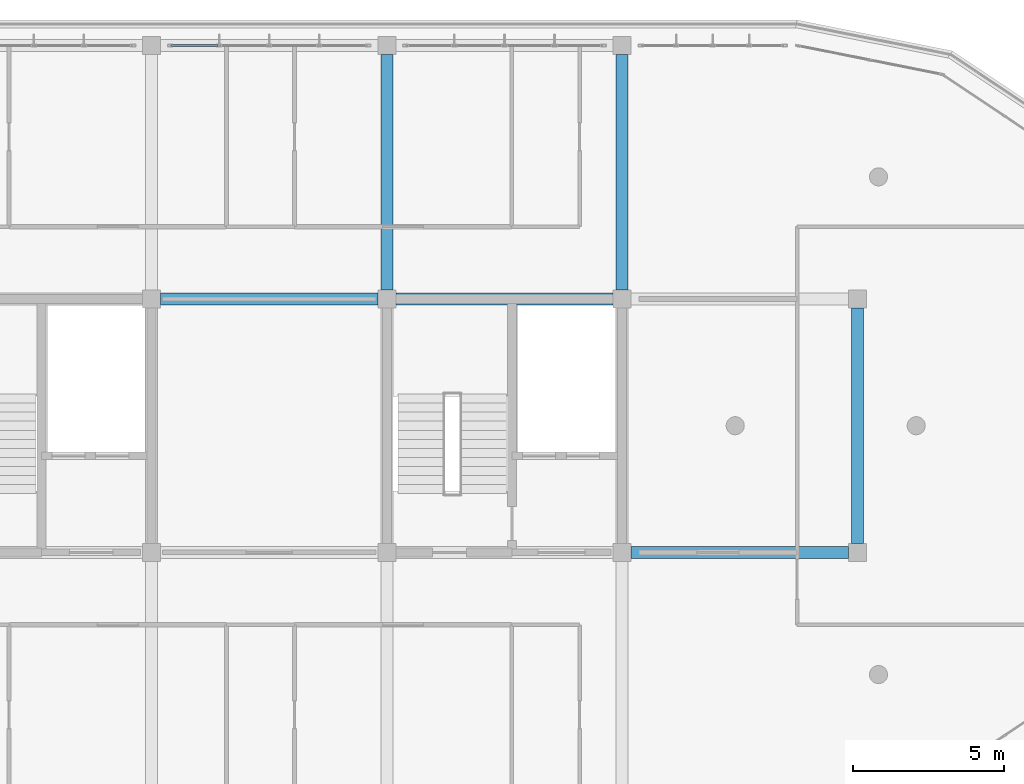
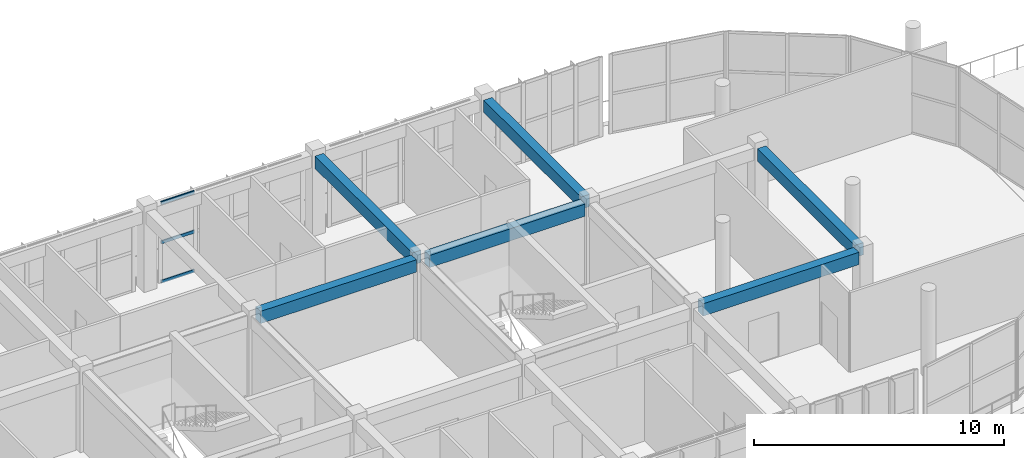
# One storey, part 25 of 50: 6 beams, 3 members, 1 element without a shape of its own.
"""IFC4 building model written with IfcOpenShell, lengths in metres."""

from ifc_helpers import new_model, si_unit, direction, frame, origin, origin_2d, place, context, subcontext, project, spatial, rectangle, hollow_rectangle, extrude, material, layer, layer_set, material_profile, profile_set, type_object, element, aggregate, save


model = new_model("IFC4")

# Units and contexts
model_context = context("Model", 3, precision=1e-05, world=origin(), true_north=direction((0.0, 1.0)))
body_context = subcontext(model_context, "Body", "Model", "MODEL_VIEW")
ifc_project = project(units=[si_unit("LENGTHUNIT", "METRE"), si_unit("AREAUNIT", "SQUARE_METRE"), si_unit("VOLUMEUNIT", "CUBIC_METRE"), si_unit("PLANEANGLEUNIT", "RADIAN"), si_unit("MASSUNIT", "GRAM", prefix="KILO")], contexts=[model_context])

# Site, building, storey
site_placement = place(None, origin())
site = spatial("IfcSite", under=ifc_project, at=site_placement, CompositionType="ELEMENT")
building_placement = place(site_placement, origin())
building = spatial("IfcBuilding", under=site, at=building_placement, Name="Zizhar Promenade General Hospital", CompositionType="ELEMENT")
storey_placement = place(building_placement, frame((0.0, 0.0, 30.60009765625)))
storey = spatial("IfcBuildingStorey", under=building, at=storey_placement, Name="L07", CompositionType="ELEMENT", Elevation=30.60009765625)

# Beams
ifc_material_1 = material(Name="Concrete C35/45", Category="concrete")
ifc_material_profile_1 = material_profile(ifc_material_1, rectangle(XDim=0.39990234375, YDim=0.60009765625, at=origin_2d()))
ifc_profile_set_1 = profile_set([ifc_material_profile_1], Name="Concrete C35/45")
beam_type = type_object("IfcBeamType", Name="BM-RC-400x600", PredefinedType="JOIST", material=ifc_profile_set_1)
beam_1_placement = place(storey_placement, frame((86.10009765625, 16.800048828125, 3.60986328125), z_axis=(1.0, 0.0, 0.0), x_axis=(0.0, 1.0, 0.0)))
element("IfcBeam", 1, at=beam_1_placement, inside=storey, type_object=beam_type, Name="Grid Beam X L07 (11-2)", PredefinedType="JOIST", context=body_context, shape_type="SweptSolid", body=[
    extrude(rectangle(XDim=0.39990234375, YDim=0.60009765625, at=origin_2d()), origin(), (0.0, 0.0, 1.0), 7.199951171875),
])
beam_2_placement = place(storey_placement, frame((93.89990234375, 16.800048828125, 3.60986328125), z_axis=(1.0, 0.0, 0.0), x_axis=(0.0, 1.0, 0.0)))
element("IfcBeam", 2, at=beam_2_placement, inside=storey, type_object=beam_type, Name="Grid Beam X L07 (12-2)", PredefinedType="JOIST", context=body_context, shape_type="SweptSolid", body=[
    extrude(rectangle(XDim=0.39990234375, YDim=0.60009765625, at=origin_2d()), origin(), (0.0, 0.0, 1.0), 7.2001953125),
])
beam_3_placement = place(storey_placement, frame((93.60009765625, 17.10009765625, 3.60986328125), z_axis=(0.0, 1.0, 0.0), x_axis=(-1.0, 0.0, 0.0)))
element("IfcBeam", 3, at=beam_3_placement, inside=storey, type_object=beam_type, Name="Grid Beam Y L07 (12-2)", PredefinedType="JOIST", context=body_context, shape_type="SweptSolid", body=[
    extrude(rectangle(XDim=0.39990234375, YDim=0.60009765625, at=origin_2d()), origin(), (0.0, 0.0, 1.0), 7.7998046875),
])
beam_4_placement = place(storey_placement, frame((101.699951171875, 8.39990234375, 3.60986328125), z_axis=(1.0, 0.0, 0.0), x_axis=(0.0, 1.0, 0.0)))
element("IfcBeam", 4, at=beam_4_placement, inside=storey, type_object=beam_type, Name="Grid Beam X L07 (13-1)", PredefinedType="JOIST", context=body_context, shape_type="SweptSolid", body=[
    extrude(rectangle(XDim=0.39990234375, YDim=0.60009765625, at=origin_2d()), origin(), (0.0, 0.0, 1.0), 7.199951171875),
])
beam_5_placement = place(storey_placement, frame((101.39990234375, 17.10009765625, 3.60986328125), z_axis=(0.0, 1.0, 0.0), x_axis=(-1.0, 0.0, 0.0)))
element("IfcBeam", 5, at=beam_5_placement, inside=storey, type_object=beam_type, Name="Grid Beam Y L07 (13-2)", PredefinedType="JOIST", context=body_context, shape_type="SweptSolid", body=[
    extrude(rectangle(XDim=0.39990234375, YDim=0.60009765625, at=origin_2d()), origin(), (0.0, 0.0, 1.0), 7.7998046875),
])
beam_6_placement = place(storey_placement, frame((109.199951171875, 8.699951171875, 3.60986328125), z_axis=(0.0, 1.0, 0.0), x_axis=(-1.0, 0.0, 0.0)))
element("IfcBeam", 6, at=beam_6_placement, inside=storey, type_object=beam_type, Name="Grid Beam Y L07 (14-1)", PredefinedType="JOIST", context=body_context, shape_type="SweptSolid", body=[
    extrude(rectangle(XDim=0.39990234375, YDim=0.60009765625, at=origin_2d()), origin(), (0.0, 0.0, 1.0), 7.800048828125),
])

# Curtain wall, members
ifc_material_2 = material(Name="Anodised aluminium 6063-T6 and low-E glass", Category="aluminium")
ifc_layer = layer(ifc_material_2, 0.159912109375)
ifc_layer_set = layer_set([ifc_layer], Name="Anodised aluminium 6063-T6 and low-E glass")
curtain_wall_type = type_object("IfcCurtainWallType", Name="CW-WARD-RIB", PredefinedType="NOTDEFINED", material=ifc_layer_set)
curtain_wall_placement = place(storey_placement, origin())
curtain_wall = element("IfcCurtainWall", 7, at=curtain_wall_placement, inside=storey, type_object=curtain_wall_type, Name="Ward Ribbon Curtain Wall L07-8-6", PredefinedType="NOTDEFINED")
ifc_material_3 = material(Name="Anodised aluminium 6063-T6", Category="aluminium")
ifc_material_profile_2 = material_profile(ifc_material_3, hollow_rectangle(XDim=0.06005859375, YDim=0.14990234375, WallThickness=0.00390625, at=origin_2d()))
ifc_profile_set_2 = profile_set([ifc_material_profile_2], Name="Anodised aluminium 6063-T6")
member_type = type_object("IfcMemberType", Name="CWT-ALU-150x60", PredefinedType="USERDEFINED", material=ifc_profile_set_2)
member_1_placement = place(storey_placement, frame((86.4599609375, 25.199951171875, 0.02978515625), z_axis=(1.0, 0.0, 0.0), x_axis=(0.0, 1.0, 0.0)))
member_1 = element("IfcMember", 8, at=member_1_placement, type_object=member_type, Name="CW-13 transom 1.1", ObjectType="TRANSOM", PredefinedType="USERDEFINED", context=body_context, shape_type="SweptSolid", body=[
    extrude(hollow_rectangle(XDim=0.06005859375, YDim=0.14990234375, WallThickness=0.00390625, at=origin_2d()), origin(), (0.0, 0.0, 1.0), 1.5400390625),
])
member_2_placement = place(storey_placement, frame((86.4599609375, 25.199951171875, 1.949951171875), z_axis=(1.0, 0.0, 0.0), x_axis=(0.0, 1.0, 0.0)))
member_2 = element("IfcMember", 9, at=member_2_placement, type_object=member_type, Name="CW-13 transom 1.2", ObjectType="TRANSOM", PredefinedType="USERDEFINED", context=body_context, shape_type="SweptSolid", body=[
    extrude(hollow_rectangle(XDim=0.06005859375, YDim=0.14990234375, WallThickness=0.00390625, at=origin_2d()), origin(), (0.0, 0.0, 1.0), 1.5400390625),
])
member_3_placement = place(storey_placement, frame((86.4599609375, 25.199951171875, 3.869873046875), z_axis=(1.0, 0.0, 0.0), x_axis=(0.0, 1.0, 0.0)))
member_3 = element("IfcMember", 10, at=member_3_placement, type_object=member_type, Name="CW-13 transom 1.3", ObjectType="TRANSOM", PredefinedType="USERDEFINED", context=body_context, shape_type="SweptSolid", body=[
    extrude(hollow_rectangle(XDim=0.06005859375, YDim=0.14990234375, WallThickness=0.00390625, at=origin_2d()), origin(), (0.0, 0.0, 1.0), 1.5400390625),
])
aggregate(curtain_wall, [member_1, member_2, member_3])

save(model, "model.ifc")
